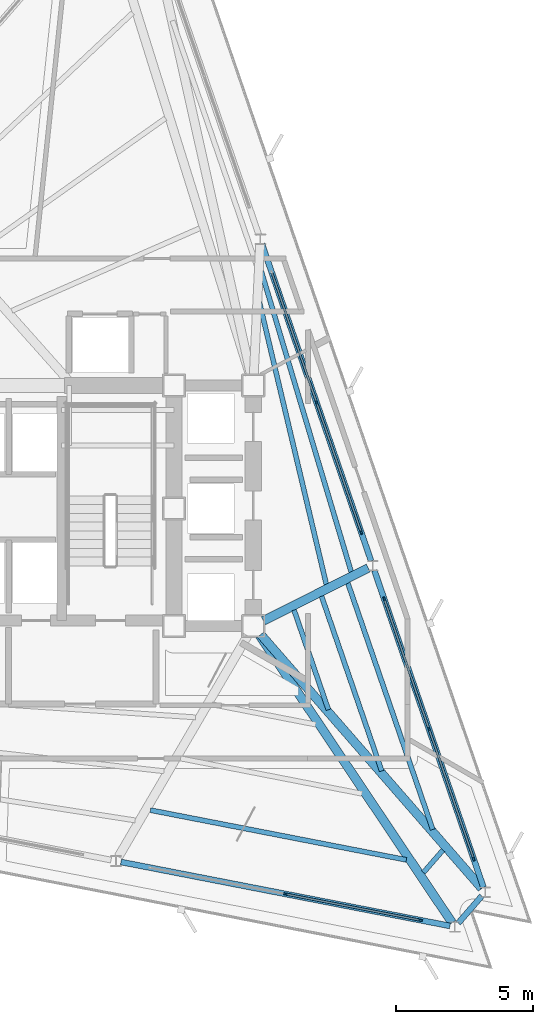
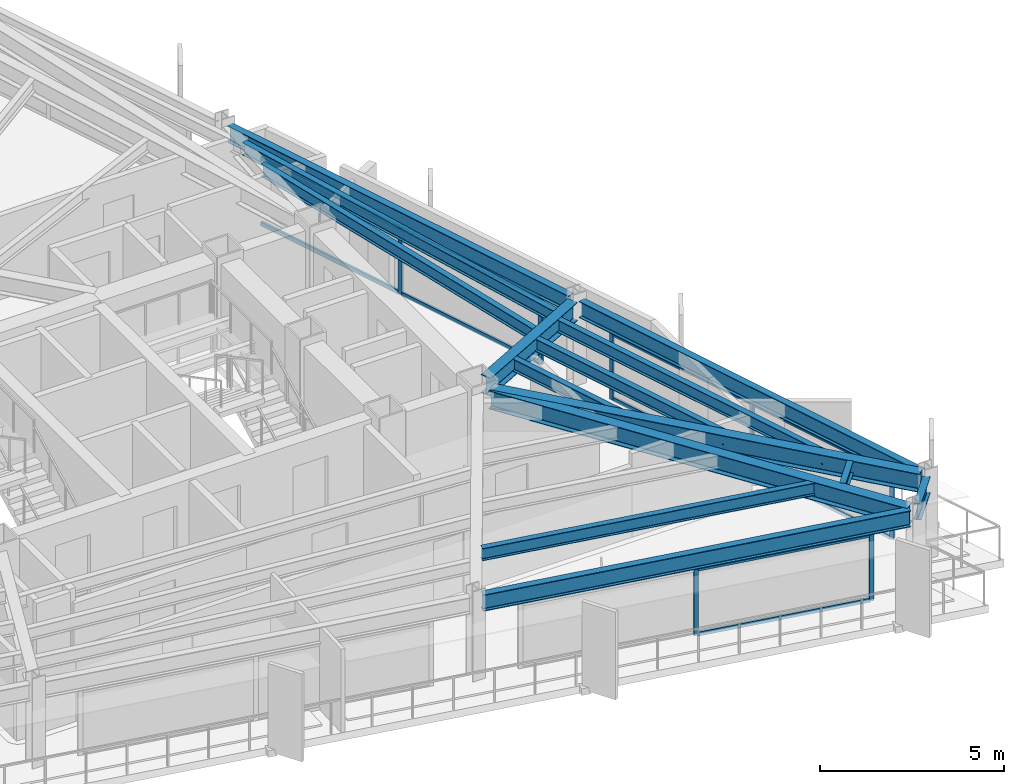
# One storey, part 6 of 13: 17 members, 14 beams, 3 elements without a shape of their own.
"""IFC4 building model written with IfcOpenShell, lengths in metres."""

from ifc_helpers import new_model, si_unit, direction, frame, origin, origin_2d, place, context, subcontext, project, spatial, rectangle, i_section, extrude, material, layer, layer_set, material_profile, profile_set, type_object, element, aggregate, save


model = new_model("IFC4")

# Units and contexts
model_context = context("Model", 3, precision=1e-05, world=origin(), true_north=direction((0.0, 1.0)))
body_context = subcontext(model_context, "Body", "Model", "MODEL_VIEW")
ifc_project = project(units=[si_unit("LENGTHUNIT", "METRE"), si_unit("AREAUNIT", "SQUARE_METRE"), si_unit("VOLUMEUNIT", "CUBIC_METRE"), si_unit("PLANEANGLEUNIT", "RADIAN"), si_unit("MASSUNIT", "GRAM", prefix="KILO")], contexts=[model_context])

# Site, building, storey
site_placement = place(None, origin())
site = spatial("IfcSite", under=ifc_project, at=site_placement, CompositionType="ELEMENT")
building_placement = place(site_placement, origin())
building = spatial("IfcBuilding", under=site, at=building_placement, Name="Rocaltana Carrier Exchange", CompositionType="ELEMENT")
storey_placement = place(building_placement, frame((0.0, 0.0, 162.39990234375)))
storey = spatial("IfcBuildingStorey", under=building, at=storey_placement, Name="L51", CompositionType="ELEMENT", Elevation=162.39990234375)

# Curtain wall, members
ifc_material_1 = material(Name="Aluminium 6063-T6", Category="aluminium")
ifc_layer = layer(ifc_material_1, 0.135009765625)
ifc_layer_set = layer_set([ifc_layer], Name="Aluminium 6063-T6")
curtain_wall_type = type_object("IfcCurtainWallType", Name="Upper-Mid Acoustic Curtain Wall CW-04", PredefinedType="NOTDEFINED", material=ifc_layer_set)
curtain_wall_1_placement = place(storey_placement, origin())
curtain_wall_1 = element("IfcCurtainWall", 1, at=curtain_wall_1_placement, inside=storey, type_object=curtain_wall_type, Name="L51 CW-04 Run CW-L51-F1S1", PredefinedType="NOTDEFINED")
ifc_material_2 = material(Name="Aluminium 6063-T6", Category="aluminium")
ifc_material_profile_1 = material_profile(ifc_material_2, rectangle(XDim=0.06494140625, YDim=0.135009765625, at=origin_2d()), Name="AL-65X135")
ifc_profile_set_1 = profile_set([ifc_material_profile_1], Name="Aluminium 6063-T6")
member_type_1 = type_object("IfcMemberType", Name="CW-04 Mullion AL-65X135", PredefinedType="MULLION", material=ifc_profile_set_1)
member_1_placement = place(storey_placement, frame((17.016357421875, -12.826171875, 0.0), z_axis=(0.0, 0.0, 1.0), x_axis=(-0.945521800517, -0.325558788464, 0.0)))
member_1 = element("IfcMember", 2, at=member_1_placement, type_object=member_type_1, Name="CW-04 mullion 1", PredefinedType="MULLION", context=body_context, shape_type="SweptSolid", body=[
    extrude(rectangle(XDim=0.06494140625, YDim=0.135009765625, at=origin_2d()), origin(), (0.0, 0.0, 1.0), 2.218017578125),
])
member_2_placement = place(storey_placement, frame((15.37744140625, -8.06640625, 0.0), z_axis=(0.0, 0.0, 1.0), x_axis=(-0.945521800517, -0.325558788464, 0.0)))
member_2 = element("IfcMember", 3, at=member_2_placement, type_object=member_type_1, Name="CW-04 mullion 2", PredefinedType="MULLION", context=body_context, shape_type="SweptSolid", body=[
    extrude(rectangle(XDim=0.06494140625, YDim=0.135009765625, at=origin_2d()), origin(), (0.0, 0.0, 1.0), 2.218017578125),
])
member_3_placement = place(storey_placement, frame((13.738525390625, -3.306396484375, 0.0), z_axis=(0.0, 0.0, 1.0), x_axis=(-0.945521800517, -0.325558788464, 0.0)))
member_3 = element("IfcMember", 4, at=member_3_placement, type_object=member_type_1, Name="CW-04 mullion 3", PredefinedType="MULLION", context=body_context, shape_type="SweptSolid", body=[
    extrude(rectangle(XDim=0.06494140625, YDim=0.135009765625, at=origin_2d()), origin(), (0.0, 0.0, 1.0), 2.218017578125),
])

curtain_wall_2_placement = place(storey_placement, origin())
curtain_wall_2 = element("IfcCurtainWall", 5, at=curtain_wall_2_placement, inside=storey, type_object=curtain_wall_type, Name="L51 CW-04 Run CW-L51-F1S2", PredefinedType="NOTDEFINED")
member_4_placement = place(storey_placement, frame((12.9033203125, -0.881103515625, 0.0), z_axis=(0.0, 0.0, 1.0), x_axis=(-0.945520754562, -0.32556182622, 0.0)))
member_4 = element("IfcMember", 6, at=member_4_placement, type_object=member_type_1, Name="CW-04 mullion 1", PredefinedType="MULLION", context=body_context, shape_type="SweptSolid", body=[
    extrude(rectangle(XDim=0.06494140625, YDim=0.135009765625, at=origin_2d()), origin(), (0.0, 0.0, 1.0), 2.218017578125),
])
member_5_placement = place(storey_placement, frame((11.264404296875, 3.878662109375, 0.0), z_axis=(0.0, 0.0, 1.0), x_axis=(-0.945520754562, -0.32556182622, 0.0)))
member_5 = element("IfcMember", 7, at=member_5_placement, type_object=member_type_1, Name="CW-04 mullion 2", PredefinedType="MULLION", context=body_context, shape_type="SweptSolid", body=[
    extrude(rectangle(XDim=0.06494140625, YDim=0.135009765625, at=origin_2d()), origin(), (0.0, 0.0, 1.0), 2.218017578125),
])

curtain_wall_3_placement = place(storey_placement, origin())
curtain_wall_3 = element("IfcCurtainWall", 8, at=curtain_wall_3_placement, inside=storey, type_object=curtain_wall_type, Name="L51 CW-04 Run CW-L51-F3S3", PredefinedType="NOTDEFINED")
member_6_placement = place(storey_placement, frame((10.1279296875, -14.105224609375, 0.0), z_axis=(0.0, 0.0, 1.0), x_axis=(0.190805209699, 0.981627919301, 0.0)))
member_6 = element("IfcMember", 9, at=member_6_placement, type_object=member_type_1, Name="CW-04 mullion 2", PredefinedType="MULLION", context=body_context, shape_type="SweptSolid", body=[
    extrude(rectangle(XDim=0.06494140625, YDim=0.135009765625, at=origin_2d()), origin(), (0.0, 0.0, 1.0), 2.218017578125),
])
member_7_placement = place(storey_placement, frame((15.069580078125, -15.06591796875, 0.0), z_axis=(0.0, 0.0, 1.0), x_axis=(0.190805209699, 0.981627919301, 0.0)))
member_7 = element("IfcMember", 10, at=member_7_placement, type_object=member_type_1, Name="CW-04 mullion 3", PredefinedType="MULLION", context=body_context, shape_type="SweptSolid", body=[
    extrude(rectangle(XDim=0.06494140625, YDim=0.135009765625, at=origin_2d()), origin(), (0.0, 0.0, 1.0), 2.218017578125),
])

# Member
ifc_material_3 = material(Name="Aluminium 6063-T6", Category="aluminium")
ifc_material_profile_2 = material_profile(ifc_material_3, rectangle(XDim=0.06494140625, YDim=0.135009765625, at=origin_2d()), Name="AL-65X135")
ifc_profile_set_2 = profile_set([ifc_material_profile_2], Name="Aluminium 6063-T6")
member_type_2 = type_object("IfcMemberType", Name="CW-04 Transom AL-65X135", PredefinedType="USERDEFINED", material=ifc_profile_set_2)
member_8_placement = place(storey_placement, frame((17.005859375, -12.795654296875, 0.03271484375), z_axis=(-0.325542462737, 0.945527421578, 0.0), x_axis=(-0.945527421578, -0.325542462737, 0.0)))
member_8 = element("IfcMember", 11, at=member_8_placement, type_object=member_type_2, Name="CW-04 transom 1.1", ObjectType="TRANSOM", PredefinedType="USERDEFINED", context=body_context, shape_type="SweptSolid", body=[
    extrude(rectangle(XDim=0.06494140625, YDim=0.135009765625, at=origin_2d()), origin(), (0.0, 0.0, 1.0), 4.96923828125),
])

member_9_placement = place(storey_placement, frame((17.005859375, -12.795654296875, 2.185546875), z_axis=(-0.325542462737, 0.945527421578, 0.0), x_axis=(-0.945527421578, -0.325542462737, 0.0)))
member_9 = element("IfcMember", 12, at=member_9_placement, type_object=member_type_2, Name="CW-04 transom 1.2", ObjectType="TRANSOM", PredefinedType="USERDEFINED", context=body_context, shape_type="SweptSolid", body=[
    extrude(rectangle(XDim=0.06494140625, YDim=0.135009765625, at=origin_2d()), origin(), (0.0, 0.0, 1.0), 4.96923828125),
])

member_10_placement = place(storey_placement, frame((15.366943359375, -8.03564453125, 0.03271484375), z_axis=(-0.325542462737, 0.945527421578, 0.0), x_axis=(-0.945527421578, -0.325542462737, 0.0)))
member_10 = element("IfcMember", 13, at=member_10_placement, type_object=member_type_2, Name="CW-04 transom 2.1", ObjectType="TRANSOM", PredefinedType="USERDEFINED", context=body_context, shape_type="SweptSolid", body=[
    extrude(rectangle(XDim=0.06494140625, YDim=0.135009765625, at=origin_2d()), origin(), (0.0, 0.0, 1.0), 4.96923828125),
])

member_11_placement = place(storey_placement, frame((15.366943359375, -8.03564453125, 2.185546875), z_axis=(-0.325542462737, 0.945527421578, 0.0), x_axis=(-0.945527421578, -0.325542462737, 0.0)))
member_11 = element("IfcMember", 14, at=member_11_placement, type_object=member_type_2, Name="CW-04 transom 2.2", ObjectType="TRANSOM", PredefinedType="USERDEFINED", context=body_context, shape_type="SweptSolid", body=[
    extrude(rectangle(XDim=0.06494140625, YDim=0.135009765625, at=origin_2d()), origin(), (0.0, 0.0, 1.0), 4.96923828125),
])

aggregate(curtain_wall_1, [member_1, member_2, member_3, member_8, member_9, member_10, member_11])

member_12_placement = place(storey_placement, frame((12.892822265625, -0.850341796875, 0.03271484375), z_axis=(-0.325557586399, 0.945522214407, 0.0), x_axis=(-0.945522214407, -0.325557586399, 0.0)))
member_12 = element("IfcMember", 15, at=member_12_placement, type_object=member_type_2, Name="CW-04 transom 1.1", ObjectType="TRANSOM", PredefinedType="USERDEFINED", context=body_context, shape_type="SweptSolid", body=[
    extrude(rectangle(XDim=0.06494140625, YDim=0.135009765625, at=origin_2d()), origin(), (0.0, 0.0, 1.0), 4.968994140625),
])

member_13_placement = place(storey_placement, frame((12.892822265625, -0.850341796875, 2.185546875), z_axis=(-0.325557586399, 0.945522214407, 0.0), x_axis=(-0.945522214407, -0.325557586399, 0.0)))
member_13 = element("IfcMember", 16, at=member_13_placement, type_object=member_type_2, Name="CW-04 transom 1.2", ObjectType="TRANSOM", PredefinedType="USERDEFINED", context=body_context, shape_type="SweptSolid", body=[
    extrude(rectangle(XDim=0.06494140625, YDim=0.135009765625, at=origin_2d()), origin(), (0.0, 0.0, 1.0), 4.968994140625),
])

member_14_placement = place(storey_placement, frame((11.25390625, 3.909423828125, 0.03271484375), z_axis=(-0.325542462737, 0.945527421578, 0.0), x_axis=(-0.945527421578, -0.325542462737, 0.0)))
member_14 = element("IfcMember", 17, at=member_14_placement, type_object=member_type_2, Name="CW-04 transom 2.1", ObjectType="TRANSOM", PredefinedType="USERDEFINED", context=body_context, shape_type="SweptSolid", body=[
    extrude(rectangle(XDim=0.06494140625, YDim=0.135009765625, at=origin_2d()), origin(), (0.0, 0.0, 1.0), 4.96923828125),
])

member_15_placement = place(storey_placement, frame((11.25390625, 3.909423828125, 2.185546875), z_axis=(-0.325542462737, 0.945527421578, 0.0), x_axis=(-0.945527421578, -0.325542462737, 0.0)))
member_15 = element("IfcMember", 18, at=member_15_placement, type_object=member_type_2, Name="CW-04 transom 2.2", ObjectType="TRANSOM", PredefinedType="USERDEFINED", context=body_context, shape_type="SweptSolid", body=[
    extrude(rectangle(XDim=0.06494140625, YDim=0.135009765625, at=origin_2d()), origin(), (0.0, 0.0, 1.0), 4.96923828125),
])

aggregate(curtain_wall_2, [member_4, member_5, member_12, member_13, member_14, member_15])

member_16_placement = place(storey_placement, frame((10.159912109375, -14.111572265625, 0.03271484375), z_axis=(0.981633795462, -0.190774976365, 0.0), x_axis=(0.190774976365, 0.981633795462, 0.0)))
member_16 = element("IfcMember", 19, at=member_16_placement, type_object=member_type_2, Name="CW-04 transom 2.1", ObjectType="TRANSOM", PredefinedType="USERDEFINED", context=body_context, shape_type="SweptSolid", body=[
    extrude(rectangle(XDim=0.06494140625, YDim=0.135009765625, at=origin_2d()), origin(), (0.0, 0.0, 1.0), 4.96923828125),
])

member_17_placement = place(storey_placement, frame((10.159912109375, -14.111572265625, 2.185546875), z_axis=(0.981633795462, -0.190774976365, 0.0), x_axis=(0.190774976365, 0.981633795462, 0.0)))
member_17 = element("IfcMember", 20, at=member_17_placement, type_object=member_type_2, Name="CW-04 transom 2.2", ObjectType="TRANSOM", PredefinedType="USERDEFINED", context=body_context, shape_type="SweptSolid", body=[
    extrude(rectangle(XDim=0.06494140625, YDim=0.135009765625, at=origin_2d()), origin(), (0.0, 0.0, 1.0), 4.96923828125),
])

aggregate(curtain_wall_3, [member_6, member_7, member_16, member_17])

# Beams
ifc_material_4 = material(Name="Steel S355", Category="steel")
ifc_material_profile_3 = material_profile(ifc_material_4, i_section(OverallWidth=0.179931640625, OverallDepth=0.4130859375, WebThickness=0.009765625, FlangeThickness=0.01611328125, FilletRadius=0.012939453125, at=origin_2d()), Name="W16X50")
ifc_profile_set_3 = profile_set([ifc_material_profile_3], Name="Steel S355")
beam_type_1 = type_object("IfcBeamType", Name="Floor Joist W16X50", PredefinedType="JOIST", material=ifc_profile_set_3)
beam_1_placement = place(storey_placement, frame((11.698974609375, -7.3662109375, 2.58154296875), z_axis=(-0.325612206056, 0.94550340627, 0.0), x_axis=(-0.94550340627, -0.325612206056, 0.0)))
element("IfcBeam", 21, at=beam_1_placement, inside=storey, type_object=beam_type_1, Name="FJ-L51-01-1", PredefinedType="JOIST", context=body_context, shape_type="SweptSolid", body=[
    extrude(i_section(OverallWidth=0.179931640625, OverallDepth=0.4130859375, WebThickness=0.009765625, FlangeThickness=0.01611328125, FilletRadius=0.012939453125, at=origin_2d()), origin(), (0.0, 0.0, 1.0), 3.85693359375),
])
beam_2_placement = place(storey_placement, frame((13.650390625, -9.606201171875, 2.58154296875), z_axis=(-0.325591245861, 0.945510624276, 0.0), x_axis=(-0.945510624276, -0.325591245861, 0.0)))
element("IfcBeam", 22, at=beam_2_placement, inside=storey, type_object=beam_type_1, Name="FJ-L51-01-2", PredefinedType="JOIST", context=body_context, shape_type="SweptSolid", body=[
    extrude(i_section(OverallWidth=0.179931640625, OverallDepth=0.4130859375, WebThickness=0.009765625, FlangeThickness=0.01611328125, FilletRadius=0.012939453125, at=origin_2d()), origin(), (0.0, 0.0, 1.0), 6.7626953125),
])
beam_3_placement = place(storey_placement, frame((15.5166015625, -11.748779296875, 2.58154296875), z_axis=(-0.325561689651, 0.945520801586, 0.0), x_axis=(-0.945520801586, -0.325561689651, 0.0)))
element("IfcBeam", 23, at=beam_3_placement, inside=storey, type_object=beam_type_1, Name="FJ-L51-01-3", PredefinedType="JOIST", context=body_context, shape_type="SweptSolid", body=[
    extrude(i_section(OverallWidth=0.179931640625, OverallDepth=0.4130859375, WebThickness=0.009765625, FlangeThickness=0.01611328125, FilletRadius=0.012939453125, at=origin_2d()), origin(), (0.0, 0.0, 1.0), 9.541748046875),
])
beam_4_placement = place(storey_placement, frame((11.6240234375, -2.780517578125, 2.58154296875), z_axis=(-0.230805777183, 0.972999842353, 0.0), x_axis=(-0.972999842353, -0.230805777183, 0.0)))
element("IfcBeam", 24, at=beam_4_placement, inside=storey, type_object=beam_type_1, Name="FJ-L51-02-2", PredefinedType="JOIST", context=body_context, shape_type="SweptSolid", body=[
    extrude(i_section(OverallWidth=0.179931640625, OverallDepth=0.4130859375, WebThickness=0.009765625, FlangeThickness=0.01611328125, FilletRadius=0.012939453125, at=origin_2d()), origin(), (0.0, 0.0, 1.0), 10.736328125),
])
beam_5_placement = place(storey_placement, frame((12.533203125, -2.3193359375, 2.58154296875), z_axis=(-0.286621662233, 0.9580438522, 0.0), x_axis=(-0.9580438522, -0.286621662233, 0.0)))
element("IfcBeam", 25, at=beam_5_placement, inside=storey, type_object=beam_type_1, Name="FJ-L51-02-3", PredefinedType="JOIST", context=body_context, shape_type="SweptSolid", body=[
    extrude(i_section(OverallWidth=0.179931640625, OverallDepth=0.4130859375, WebThickness=0.009765625, FlangeThickness=0.01611328125, FilletRadius=0.012939453125, at=origin_2d()), origin(), (0.0, 0.0, 1.0), 11.597900390625),
])
beam_6_placement = place(storey_placement, frame((5.185546875, -11.037841796875, 2.58154296875), z_axis=(0.981630034489, -0.190794327456, 0.0), x_axis=(0.190794327456, 0.981630034489, 0.0)))
element("IfcBeam", 26, at=beam_6_placement, inside=storey, type_object=beam_type_1, Name="FJ-L51-11-3", PredefinedType="JOIST", context=body_context, shape_type="SweptSolid", body=[
    extrude(i_section(OverallWidth=0.179931640625, OverallDepth=0.4130859375, WebThickness=0.009765625, FlangeThickness=0.01611328125, FilletRadius=0.012939453125, at=origin_2d()), origin(), (0.0, 0.0, 1.0), 9.5419921875),
])
beam_7_placement = place(storey_placement, frame((15.176513671875, -13.321044921875, 2.58154296875), z_axis=(0.65606745581, 0.754702254817, 0.0), x_axis=(-0.754702254817, 0.65606745581, 0.0)))
element("IfcBeam", 27, at=beam_7_placement, inside=storey, type_object=beam_type_1, Name="FJ-L51-12-3", PredefinedType="JOIST", context=body_context, shape_type="SweptSolid", body=[
    extrude(i_section(OverallWidth=0.179931640625, OverallDepth=0.4130859375, WebThickness=0.009765625, FlangeThickness=0.01611328125, FilletRadius=0.012939453125, at=origin_2d()), origin(), (0.0, 0.0, 1.0), 1.086669921875),
])
ifc_material_5 = material(Name="Steel S355", Category="steel")
ifc_material_profile_4 = material_profile(ifc_material_5, i_section(OverallWidth=0.323974609375, OverallDepth=0.611083984375, WebThickness=0.0126953125, FlangeThickness=0.01904296875, FilletRadius=0.01611328125, at=origin_2d()), Name="W24X104")
ifc_profile_set_4 = profile_set([ifc_material_profile_4], Name="Steel S355")
beam_type_2 = type_object("IfcBeamType", Name="Radial Girder W24X104", PredefinedType="BEAM", material=ifc_profile_set_4)
beam_8_placement = place(storey_placement, frame((9.223876953125, -4.614501953125, 2.482666015625), z_axis=(0.656870571987, -0.754003349898, 0.0), x_axis=(0.754003349898, 0.656870571987, 0.0)))
element("IfcBeam", 28, at=beam_8_placement, inside=storey, type_object=beam_type_2, Name="RG-L51-01", PredefinedType="BEAM", context=body_context, shape_type="SweptSolid", body=[
    extrude(i_section(OverallWidth=0.323974609375, OverallDepth=0.611083984375, WebThickness=0.0126953125, FlangeThickness=0.01904296875, FilletRadius=0.01611328125, at=origin_2d()), origin(), (0.0, 0.0, 1.0), 12.3134765625),
])
beam_9_placement = place(storey_placement, frame((9.322265625, -4.112060546875, 2.482666015625), z_axis=(0.892749276304, 0.450553803289, 0.0), x_axis=(-0.450553803289, 0.892749276304, 0.0)))
element("IfcBeam", 29, at=beam_9_placement, inside=storey, type_object=beam_type_2, Name="RG-L51-02", PredefinedType="BEAM", context=body_context, shape_type="SweptSolid", body=[
    extrude(i_section(OverallWidth=0.323974609375, OverallDepth=0.611083984375, WebThickness=0.0126953125, FlangeThickness=0.01904296875, FilletRadius=0.01611328125, at=origin_2d()), origin(), (0.0, 0.0, 1.0), 4.293701171875),
])
beam_10_placement = place(storey_placement, frame((9.18212890625, -4.646484375, 2.482666015625), z_axis=(0.556698056757, -0.830714917166, 0.0), x_axis=(0.830714917166, 0.556698056757, 0.0)))
element("IfcBeam", 30, at=beam_10_placement, inside=storey, type_object=beam_type_2, Name="RG-L51-12", PredefinedType="BEAM", context=body_context, shape_type="SweptSolid", body=[
    extrude(i_section(OverallWidth=0.323974609375, OverallDepth=0.611083984375, WebThickness=0.0126953125, FlangeThickness=0.01904296875, FilletRadius=0.01611328125, at=origin_2d()), origin(), (0.0, 0.0, 1.0), 12.65185546875),
])
ifc_material_6 = material(Name="Steel S355", Category="steel")
ifc_material_profile_5 = material_profile(ifc_material_6, i_section(OverallWidth=0.2119140625, OverallDepth=0.5439453125, WebThickness=0.01318359375, FlangeThickness=0.021240234375, FilletRadius=0.014892578125, at=origin_2d()), Name="W21X83")
ifc_profile_set_5 = profile_set([ifc_material_profile_5], Name="Steel S355")
beam_type_3 = type_object("IfcBeamType", Name="Spandrel Edge Beam W21X83", PredefinedType="SPANDREL", material=ifc_profile_set_5)
for number, where, z_axis, x_axis, name in (
    (31, (17.37353515625, -13.863525390625, 2.51611328125), (-0.325566047792, 0.94551930098, 0.0), (-0.94551930098, -0.325566047792, 0.0), "SP-L51-01"),
    (32, (13.260498046875, -1.91845703125, 2.51611328125), (-0.325566047792, 0.94551930098, 0.0), (-0.94551930098, -0.325566047792, 0.0), "SP-L51-02"),
    (33, (4.109619140625, -12.935302734375, 2.51611328125), (0.981625439555, -0.19081796671, 0.0), (0.19081796671, 0.981625439555, 0.0), "SP-L51-11"),
):
    element("IfcBeam", number, at=place(storey_placement, frame(where, z_axis=z_axis, x_axis=x_axis)), inside=storey, type_object=beam_type_3, Name=name, PredefinedType="SPANDREL", context=body_context, shape_type="SweptSolid", body=[
        extrude(i_section(OverallWidth=0.2119140625, OverallDepth=0.5439453125, WebThickness=0.01318359375, FlangeThickness=0.021240234375, FilletRadius=0.014892578125, at=origin_2d()), origin(), (0.0, 0.0, 1.0), 12.26220703125),
    ])
beam_11_placement = place(storey_placement, frame((16.4501953125, -15.17041015625, 2.51611328125), z_axis=(0.656146510071, 0.754633525177, 0.0), x_axis=(-0.754633525177, 0.656146510071, 0.0)))
element("IfcBeam", 34, at=beam_11_placement, inside=storey, type_object=beam_type_3, Name="SP-L51-12", PredefinedType="SPANDREL", context=body_context, shape_type="SweptSolid", body=[
    extrude(i_section(OverallWidth=0.2119140625, OverallDepth=0.5439453125, WebThickness=0.01318359375, FlangeThickness=0.021240234375, FilletRadius=0.014892578125, at=origin_2d()), origin(), (0.0, 0.0, 1.0), 1.313720703125),
])

save(model, "model.ifc")
